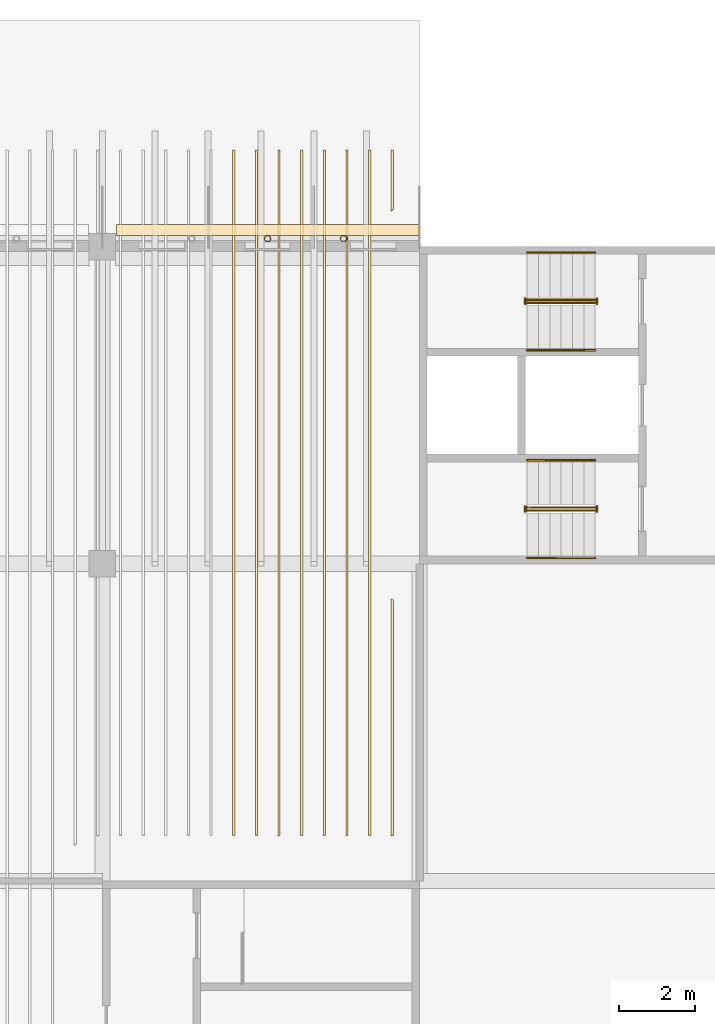
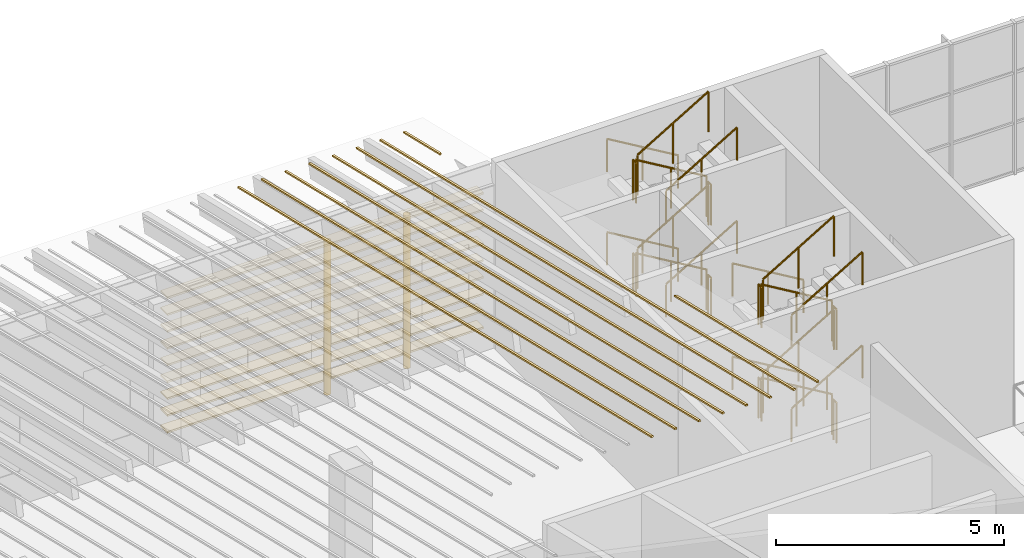
# One storey, part 72 of 82: 24 railings, 18 coverings, 2 shading devices.
"""IFC4 building model written with IfcOpenShell, lengths in metres."""

from ifc_helpers import new_model, si_unit, direction, frame, origin, origin_2d, place, context, subcontext, project, spatial, polyline, rectangle, circle, hollow_circle, outline, extrude, material, layer, layer_set, material_profile, profile_set, type_object, element, save


model = new_model("IFC4")

# Units and contexts
model_context = context("Model", 3, precision=1e-05, world=origin(), true_north=direction((0.0, 1.0)))
body_context = subcontext(model_context, "Body", "Model", "MODEL_VIEW")
ifc_project = project(units=[si_unit("LENGTHUNIT", "METRE"), si_unit("AREAUNIT", "SQUARE_METRE"), si_unit("VOLUMEUNIT", "CUBIC_METRE"), si_unit("PLANEANGLEUNIT", "RADIAN"), si_unit("MASSUNIT", "GRAM", prefix="KILO")], contexts=[model_context])

# Site, building, storey
site_placement = place(None, origin())
site = spatial("IfcSite", under=ifc_project, at=site_placement, CompositionType="ELEMENT")
building_placement = place(site_placement, origin())
building = spatial("IfcBuilding", under=site, at=building_placement, Name="Almond Square Museum", CompositionType="ELEMENT")
storey_placement = place(building_placement, frame((0.0, 0.0, 20.0)))
storey = spatial("IfcBuildingStorey", under=building, at=storey_placement, Name="L03", CompositionType="ELEMENT", Elevation=20.0)

# Shading devices
ifc_material_1 = material(Name="Structural steel S355", Category="steel")
ifc_material_profile_1 = material_profile(ifc_material_1, hollow_circle(Radius=0.084228515625, WallThickness=0.008056640625, at=origin_2d()))
ifc_profile_set_1 = profile_set([ifc_material_profile_1], Name="Structural steel S355")
shading_device_type = type_object("IfcShadingDeviceType", Name="Louvre post CHS 168.3 x 8", PredefinedType="USERDEFINED", material=ifc_profile_set_1)
for number, where, z_axis, x_axis, name in (
    (1, (69.175048828125, 109.4091796875, 0.0), (0.0, 0.0, 1.0), (1.0, 0.0, 0.0), "Louvre screen post"),
    (2, (71.1875, 109.4091796875, 0.0), (0.0, 0.0, 1.0), (1.0, 0.0, 0.0), "Louvre screen post"),
):
    element("IfcShadingDevice", number, at=place(storey_placement, frame(where, z_axis=z_axis, x_axis=x_axis)), inside=storey, type_object=shading_device_type, Name=name, ObjectType="POST", PredefinedType="USERDEFINED", context=body_context, shape_type="SweptSolid", body=[
        extrude(hollow_circle(Radius=0.084228515625, WallThickness=0.008056640625, at=origin_2d()), origin(), (0.0, 0.0, 1.0), 4.099365234375),
    ])

# Coverings
ifc_material_2 = material(Name="Cedar timber louvre board", Category="wood")
ifc_material_profile_2 = material_profile(ifc_material_2, rectangle(XDim=0.300048828125, YDim=0.050048828125, at=origin_2d()))
ifc_profile_set_2 = profile_set([ifc_material_profile_2], Name="Cedar timber louvre board")
covering_type_1 = type_object("IfcCoveringType", Name="Louvre screen board 300 x 50", PredefinedType="CLADDING", material=ifc_profile_set_2)
for number, where, z_axis, x_axis, name in (
    (3, (65.169921875, 109.639404296875, 0.300048828125), (1.0, 0.0, 0.0), (0.0, 1.0, 0.0), "Louvre screen board"),
    (4, (65.169921875, 109.639404296875, 0.75), (1.0, 0.0, 0.0), (0.0, 1.0, 0.0), "Louvre screen board"),
    (5, (65.169921875, 109.639404296875, 1.199951171875), (1.0, 0.0, 0.0), (0.0, 1.0, 0.0), "Louvre screen board"),
    (6, (65.169921875, 109.639404296875, 1.64990234375), (1.0, 0.0, 0.0), (0.0, 1.0, 0.0), "Louvre screen board"),
    (7, (65.169921875, 109.639404296875, 2.10009765625), (1.0, 0.0, 0.0), (0.0, 1.0, 0.0), "Louvre screen board"),
    (8, (65.169921875, 109.639404296875, 2.550048828125), (1.0, 0.0, 0.0), (0.0, 1.0, 0.0), "Louvre screen board"),
    (9, (65.169921875, 109.639404296875, 3.0), (1.0, 0.0, 0.0), (0.0, 1.0, 0.0), "Louvre screen board"),
    (10, (65.169921875, 109.639404296875, 3.449951171875), (1.0, 0.0, 0.0), (0.0, 1.0, 0.0), "Louvre screen board"),
    (11, (65.169921875, 109.639404296875, 3.89990234375), (1.0, 0.0, 0.0), (0.0, 1.0, 0.0), "Louvre screen board"),
):
    element("IfcCovering", number, at=place(storey_placement, frame(where, z_axis=z_axis, x_axis=x_axis)), inside=storey, type_object=covering_type_1, Name=name, PredefinedType="CLADDING", context=body_context, shape_type="SweptSolid", body=[
        extrude(rectangle(XDim=0.300048828125, YDim=0.050048828125, at=origin_2d()), origin(), (0.0, 0.0, 1.0), 8.010009765625),
    ])
ifc_material_3 = material(Name="Zinc standing seam")
ifc_layer = layer(ifc_material_3, 0.0400390625)
ifc_layer_set = layer_set([ifc_layer], Name="Zinc standing seam")
covering_type_2 = type_object("IfcCoveringType", Name="Roof standing seam rib 60 x 40", PredefinedType="CLADDING", material=ifc_layer_set)
covering_1_placement = place(storey_placement, frame((68.31005859375, 111.75, 4.392822265625), z_axis=(0.0, 0.231627013906, 0.972804670234), x_axis=(-1.0, 0.0, 0.0)))
element("IfcCovering", 12, at=covering_1_placement, inside=storey, type_object=covering_type_2, Name="Roof standing seam rib", PredefinedType="CLADDING", context=body_context, shape_type="SweptSolid", body=[
    extrude(outline(polyline([(0.0, 0.0), (0.06005859375, 0.0), (0.06005859375, 18.657293595625642), (0.0, 18.657293595625642), (0.0, 0.0)])), origin(), (0.0, 0.0, 1.0), 0.0400390625),
])
covering_2_placement = place(storey_placement, frame((68.909912109375, 111.75, 4.392822265625), z_axis=(0.0, 0.231627013906, 0.972804670234), x_axis=(-1.0, 0.0, 0.0)))
element("IfcCovering", 13, at=covering_2_placement, inside=storey, type_object=covering_type_2, Name="Roof standing seam rib", PredefinedType="CLADDING", context=body_context, shape_type="SweptSolid", body=[
    extrude(outline(polyline([(0.0, 0.0), (0.059814453125, 0.0), (0.059814453125, 18.657293595625642), (0.0, 18.657293595625642), (0.0, 0.0)])), origin(), (0.0, 0.0, 1.0), 0.0400390625),
])
for number, where, z_axis, x_axis, name in (
    (14, (69.510009765625, 111.75, 4.392822265625), (0.0, 0.231627013906, 0.972804670234), (-1.0, 0.0, 0.0), "Roof standing seam rib"),
    (15, (70.110107421875, 111.75, 4.392822265625), (0.0, 0.231627013906, 0.972804670234), (-1.0, 0.0, 0.0), "Roof standing seam rib"),
    (16, (70.7099609375, 111.75, 4.392822265625), (0.0, 0.231627013906, 0.972804670234), (-1.0, 0.0, 0.0), "Roof standing seam rib"),
    (17, (71.31005859375, 111.75, 4.392822265625), (0.0, 0.231627013906, 0.972804670234), (-1.0, 0.0, 0.0), "Roof standing seam rib"),
):
    element("IfcCovering", number, at=place(storey_placement, frame(where, z_axis=z_axis, x_axis=x_axis)), inside=storey, type_object=covering_type_2, Name=name, PredefinedType="CLADDING", context=body_context, shape_type="SweptSolid", body=[
        extrude(outline(polyline([(0.0, 0.0), (0.06005859375, 0.0), (0.06005859375, 18.657293595625642), (0.0, 18.657293595625642), (0.0, 0.0)])), origin(), (0.0, 0.0, 1.0), 0.0400390625),
    ])
covering_3_placement = place(storey_placement, frame((71.909912109375, 111.75, 4.392822265625), z_axis=(0.0, 0.231627013906, 0.972804670234), x_axis=(-1.0, 0.0, 0.0)))
element("IfcCovering", 18, at=covering_3_placement, inside=storey, type_object=covering_type_2, Name="Roof standing seam rib", PredefinedType="CLADDING", context=body_context, shape_type="SweptSolid", body=[
    extrude(outline(polyline([(0.0, 0.0), (0.059814453125, 0.0), (0.059814453125, 18.657293595625642), (0.0, 18.657293595625642), (0.0, 0.0)])), origin(), (0.0, 0.0, 1.0), 0.0400390625),
])
covering_4_placement = place(storey_placement, frame((72.510009765625, 99.819580078125, 7.2333984375), z_axis=(0.000664107598, 0.231633336676, 0.972802938062), x_axis=(-0.79608361748, 0.588849711627, -0.139667072343)))
element("IfcCovering", 19, at=covering_4_placement, inside=storey, type_object=covering_type_2, Name="Roof standing seam rib", PredefinedType="CLADDING", context=body_context, shape_type="SweptSolid", body=[
    extrude(outline(polyline([(0.0, 0.0), (0.07544260291184722, 8.890457814381136e-18), (-3.8213697008362773, 5.126005849453803), (-3.8691813634095436, 5.0896592125479625), (0.0, 0.0)])), origin(), (0.0, 0.0, 1.0), 0.0400390625),
])
covering_5_placement = place(storey_placement, frame((72.510009765625, 110.180419921875, 4.7666015625), z_axis=(-0.000665650526, 0.231637285281, 0.972801996799), x_axis=(-1.6493e-08, 0.972802212317, -0.23163733661)))
element("IfcCovering", 20, at=covering_5_placement, inside=storey, type_object=covering_type_2, Name="Roof standing seam rib", PredefinedType="CLADDING", context=body_context, shape_type="SweptSolid", body=[
    extrude(outline(polyline([(0.0, 0.0), (1.6134722132162695, 2.710505431213761e-20), (1.613472214206831, 0.060058580444298675), (-0.04565683692835115, 0.06005863442013965), (0.0, 0.0)])), origin(), (0.0, 0.0, 1.0), 0.0400390625),
])

# Railings
ifc_material_4 = material(Name="Stainless steel and laminated glass", Category="steel")
railing_type_1 = type_object("IfcRailingType", Name="Stair guard 1100 steel and glass", PredefinedType="GUARDRAIL", material=ifc_material_4)
railing_1_placement = place(storey_placement, frame((77.85009765625, 102.2900390625, 0.178466796875)))
element("IfcRailing", 21, at=railing_1_placement, inside=storey, type_object=railing_type_1, Name="L03 ST-09 stair guard 1", PredefinedType="GUARDRAIL", context=body_context, shape_type="SweptSolid", body=[
    extrude(circle(Radius=0.02392578125, at=origin_2d()), frame((0.0, 0.0, 1.076171875), z_axis=(-0.859277029364, 0.0, 0.511510495305), x_axis=(0.0, -1.0, 0.0)), (0.0, 0.0, 1.0), 2.0947265625),
    extrude(circle(Radius=0.02099609375, at=origin_2d()), origin(), (0.0, 0.0, 1.0), 1.052001953125),
    extrude(circle(Radius=0.02099609375, at=origin_2d()), frame((-0.89990234375, 0.0, 0.53564453125)), (0.0, 0.0, 1.0), 1.052001953125),
    extrude(circle(Radius=0.02099609375, at=origin_2d()), frame((-1.800048828125, 0.0, 1.071533203125)), (0.0, 0.0, 1.0), 1.052001953125),
])
railing_2_placement = place(storey_placement, frame((76.0, 102.320068359375, 1.25)))
element("IfcRailing", 22, at=railing_2_placement, inside=storey, type_object=railing_type_1, Name="L03 ST-09 stair guard 2", PredefinedType="GUARDRAIL", context=body_context, shape_type="SweptSolid", body=[
    extrude(circle(Radius=0.02392578125, at=origin_2d()), frame((0.0, 0.0, 1.076171875), z_axis=(0.0, -1.0, 0.0), x_axis=(1.0, 0.0, 0.0)), (0.0, 0.0, 1.0), 0.14013671875),
    extrude(circle(Radius=0.02099609375, at=origin_2d()), origin(), (0.0, 0.0, 1.0), 1.052001953125),
    extrude(circle(Radius=0.02099609375, at=origin_2d()), frame((0.0, -0.14013671875, 0.0)), (0.0, 0.0, 1.0), 1.052001953125),
])
railing_3_placement = place(storey_placement, frame((76.050048828125, 102.2099609375, 1.428466796875)))
element("IfcRailing", 23, at=railing_3_placement, inside=storey, type_object=railing_type_1, Name="L03 ST-09 stair guard 3", PredefinedType="GUARDRAIL", context=body_context, shape_type="SweptSolid", body=[
    extrude(circle(Radius=0.02392578125, at=origin_2d()), frame((0.0, 0.0, 1.076171875), z_axis=(0.859277029364, 0.0, 0.511510495305), x_axis=(0.0, 1.0, 0.0)), (0.0, 0.0, 1.0), 2.0947265625),
    extrude(circle(Radius=0.02099609375, at=origin_2d()), origin(), (0.0, 0.0, 1.0), 1.052001953125),
    extrude(circle(Radius=0.02099609375, at=origin_2d()), frame((0.89990234375, 0.0, 0.53564453125)), (0.0, 0.0, 1.0), 1.052001953125),
    extrude(circle(Radius=0.02099609375, at=origin_2d()), frame((1.800048828125, 0.0, 1.071533203125)), (0.0, 0.0, 1.0), 1.052001953125),
])
railing_4_placement = place(storey_placement, frame((77.89990234375, 102.320068359375, 2.5)))
element("IfcRailing", 24, at=railing_4_placement, inside=storey, type_object=railing_type_1, Name="L03 ST-09 stair guard 4", PredefinedType="GUARDRAIL", context=body_context, shape_type="SweptSolid", body=[
    extrude(circle(Radius=0.02392578125, at=origin_2d()), frame((0.0, 0.0, 1.076171875), z_axis=(0.0, -1.0, 0.0), x_axis=(1.0, 0.0, 0.0)), (0.0, 0.0, 1.0), 0.14013671875),
    extrude(circle(Radius=0.02099609375, at=origin_2d()), origin(), (0.0, 0.0, 1.0), 1.052001953125),
    extrude(circle(Radius=0.02099609375, at=origin_2d()), frame((0.0, -0.14013671875, 0.0)), (0.0, 0.0, 1.0), 1.052001953125),
])
railing_5_placement = place(storey_placement, frame((77.85009765625, 102.2900390625, 2.678466796875)))
element("IfcRailing", 25, at=railing_5_placement, inside=storey, type_object=railing_type_1, Name="L03 ST-09 stair guard 5", PredefinedType="GUARDRAIL", context=body_context, shape_type="SweptSolid", body=[
    extrude(circle(Radius=0.02392578125, at=origin_2d()), frame((0.0, 0.0, 1.076171875), z_axis=(-0.859277029364, 0.0, 0.511510495305), x_axis=(0.0, -1.0, 0.0)), (0.0, 0.0, 1.0), 2.0947265625),
    extrude(circle(Radius=0.02099609375, at=origin_2d()), origin(), (0.0, 0.0, 1.0), 1.052001953125),
    extrude(circle(Radius=0.02099609375, at=origin_2d()), frame((-0.89990234375, 0.0, 0.53564453125)), (0.0, 0.0, 1.0), 1.052001953125),
    extrude(circle(Radius=0.02099609375, at=origin_2d()), frame((-1.800048828125, 0.0, 1.071533203125)), (0.0, 0.0, 1.0), 1.052001953125),
])
railing_6_placement = place(storey_placement, frame((76.0, 102.320068359375, 3.75)))
element("IfcRailing", 26, at=railing_6_placement, inside=storey, type_object=railing_type_1, Name="L03 ST-09 stair guard 6", PredefinedType="GUARDRAIL", context=body_context, shape_type="SweptSolid", body=[
    extrude(circle(Radius=0.02392578125, at=origin_2d()), frame((0.0, 0.0, 1.076171875), z_axis=(0.0, -1.0, 0.0), x_axis=(1.0, 0.0, 0.0)), (0.0, 0.0, 1.0), 0.14013671875),
    extrude(circle(Radius=0.02099609375, at=origin_2d()), origin(), (0.0, 0.0, 1.0), 1.052001953125),
    extrude(circle(Radius=0.02099609375, at=origin_2d()), frame((0.0, -0.14013671875, 0.0)), (0.0, 0.0, 1.0), 1.052001953125),
])
railing_7_placement = place(storey_placement, frame((76.050048828125, 102.2099609375, 3.928466796875)))
element("IfcRailing", 27, at=railing_7_placement, inside=storey, type_object=railing_type_1, Name="L03 ST-09 stair guard 7", PredefinedType="GUARDRAIL", context=body_context, shape_type="SweptSolid", body=[
    extrude(circle(Radius=0.02392578125, at=origin_2d()), frame((0.0, 0.0, 1.076171875), z_axis=(0.859277029364, 0.0, 0.511510495305), x_axis=(0.0, 1.0, 0.0)), (0.0, 0.0, 1.0), 2.0947265625),
    extrude(circle(Radius=0.02099609375, at=origin_2d()), origin(), (0.0, 0.0, 1.0), 1.052001953125),
    extrude(circle(Radius=0.02099609375, at=origin_2d()), frame((0.89990234375, 0.0, 0.53564453125)), (0.0, 0.0, 1.0), 1.052001953125),
    extrude(circle(Radius=0.02099609375, at=origin_2d()), frame((1.800048828125, 0.0, 1.071533203125)), (0.0, 0.0, 1.0), 1.052001953125),
])
railing_8_placement = place(storey_placement, frame((77.89990234375, 102.320068359375, 0.0)))
element("IfcRailing", 28, at=railing_8_placement, inside=storey, type_object=railing_type_1, Name="L03 ST-09 stair guard 8", PredefinedType="GUARDRAIL", context=body_context, shape_type="SweptSolid", body=[
    extrude(circle(Radius=0.02392578125, at=origin_2d()), frame((0.0, 0.0, 1.076171875), z_axis=(0.0, -1.0, 0.0), x_axis=(1.0, 0.0, 0.0)), (0.0, 0.0, 1.0), 0.14013671875),
    extrude(circle(Radius=0.02099609375, at=origin_2d()), origin(), (0.0, 0.0, 1.0), 1.052001953125),
    extrude(circle(Radius=0.02099609375, at=origin_2d()), frame((0.0, -0.14013671875, 0.0)), (0.0, 0.0, 1.0), 1.052001953125),
])
railing_9_placement = place(storey_placement, frame((77.85009765625, 107.7900390625, 0.178466796875)))
element("IfcRailing", 29, at=railing_9_placement, inside=storey, type_object=railing_type_1, Name="L03 ST-10 stair guard 1", PredefinedType="GUARDRAIL", context=body_context, shape_type="SweptSolid", body=[
    extrude(circle(Radius=0.02392578125, at=origin_2d()), frame((0.0, 0.0, 1.076171875), z_axis=(-0.859277029364, 0.0, 0.511510495305), x_axis=(0.0, -1.0, 0.0)), (0.0, 0.0, 1.0), 2.0947265625),
    extrude(circle(Radius=0.02099609375, at=origin_2d()), origin(), (0.0, 0.0, 1.0), 1.052001953125),
    extrude(circle(Radius=0.02099609375, at=origin_2d()), frame((-0.89990234375, 0.0, 0.53564453125)), (0.0, 0.0, 1.0), 1.052001953125),
    extrude(circle(Radius=0.02099609375, at=origin_2d()), frame((-1.800048828125, 0.0, 1.071533203125)), (0.0, 0.0, 1.0), 1.052001953125),
])
railing_10_placement = place(storey_placement, frame((76.0, 107.820068359375, 1.25)))
element("IfcRailing", 30, at=railing_10_placement, inside=storey, type_object=railing_type_1, Name="L03 ST-10 stair guard 2", PredefinedType="GUARDRAIL", context=body_context, shape_type="SweptSolid", body=[
    extrude(circle(Radius=0.02392578125, at=origin_2d()), frame((0.0, 0.0, 1.076171875), z_axis=(0.0, -1.0, 0.0), x_axis=(1.0, 0.0, 0.0)), (0.0, 0.0, 1.0), 0.14013671875),
    extrude(circle(Radius=0.02099609375, at=origin_2d()), origin(), (0.0, 0.0, 1.0), 1.052001953125),
    extrude(circle(Radius=0.02099609375, at=origin_2d()), frame((0.0, -0.14013671875, 0.0)), (0.0, 0.0, 1.0), 1.052001953125),
])
railing_11_placement = place(storey_placement, frame((76.050048828125, 107.7099609375, 1.428466796875)))
element("IfcRailing", 31, at=railing_11_placement, inside=storey, type_object=railing_type_1, Name="L03 ST-10 stair guard 3", PredefinedType="GUARDRAIL", context=body_context, shape_type="SweptSolid", body=[
    extrude(circle(Radius=0.02392578125, at=origin_2d()), frame((0.0, 0.0, 1.076171875), z_axis=(0.859277029364, 0.0, 0.511510495305), x_axis=(0.0, 1.0, 0.0)), (0.0, 0.0, 1.0), 2.0947265625),
    extrude(circle(Radius=0.02099609375, at=origin_2d()), origin(), (0.0, 0.0, 1.0), 1.052001953125),
    extrude(circle(Radius=0.02099609375, at=origin_2d()), frame((0.89990234375, 0.0, 0.53564453125)), (0.0, 0.0, 1.0), 1.052001953125),
    extrude(circle(Radius=0.02099609375, at=origin_2d()), frame((1.800048828125, 0.0, 1.071533203125)), (0.0, 0.0, 1.0), 1.052001953125),
])
railing_12_placement = place(storey_placement, frame((77.89990234375, 107.820068359375, 2.5)))
element("IfcRailing", 32, at=railing_12_placement, inside=storey, type_object=railing_type_1, Name="L03 ST-10 stair guard 4", PredefinedType="GUARDRAIL", context=body_context, shape_type="SweptSolid", body=[
    extrude(circle(Radius=0.02392578125, at=origin_2d()), frame((0.0, 0.0, 1.076171875), z_axis=(0.0, -1.0, 0.0), x_axis=(1.0, 0.0, 0.0)), (0.0, 0.0, 1.0), 0.14013671875),
    extrude(circle(Radius=0.02099609375, at=origin_2d()), origin(), (0.0, 0.0, 1.0), 1.052001953125),
    extrude(circle(Radius=0.02099609375, at=origin_2d()), frame((0.0, -0.14013671875, 0.0)), (0.0, 0.0, 1.0), 1.052001953125),
])
railing_13_placement = place(storey_placement, frame((77.85009765625, 107.7900390625, 2.678466796875)))
element("IfcRailing", 33, at=railing_13_placement, inside=storey, type_object=railing_type_1, Name="L03 ST-10 stair guard 5", PredefinedType="GUARDRAIL", context=body_context, shape_type="SweptSolid", body=[
    extrude(circle(Radius=0.02392578125, at=origin_2d()), frame((0.0, 0.0, 1.076171875), z_axis=(-0.859277029364, 0.0, 0.511510495305), x_axis=(0.0, -1.0, 0.0)), (0.0, 0.0, 1.0), 2.0947265625),
    extrude(circle(Radius=0.02099609375, at=origin_2d()), origin(), (0.0, 0.0, 1.0), 1.052001953125),
    extrude(circle(Radius=0.02099609375, at=origin_2d()), frame((-0.89990234375, 0.0, 0.53564453125)), (0.0, 0.0, 1.0), 1.052001953125),
    extrude(circle(Radius=0.02099609375, at=origin_2d()), frame((-1.800048828125, 0.0, 1.071533203125)), (0.0, 0.0, 1.0), 1.052001953125),
])
railing_14_placement = place(storey_placement, frame((76.0, 107.820068359375, 3.75)))
element("IfcRailing", 34, at=railing_14_placement, inside=storey, type_object=railing_type_1, Name="L03 ST-10 stair guard 6", PredefinedType="GUARDRAIL", context=body_context, shape_type="SweptSolid", body=[
    extrude(circle(Radius=0.02392578125, at=origin_2d()), frame((0.0, 0.0, 1.076171875), z_axis=(0.0, -1.0, 0.0), x_axis=(1.0, 0.0, 0.0)), (0.0, 0.0, 1.0), 0.14013671875),
    extrude(circle(Radius=0.02099609375, at=origin_2d()), origin(), (0.0, 0.0, 1.0), 1.052001953125),
    extrude(circle(Radius=0.02099609375, at=origin_2d()), frame((0.0, -0.14013671875, 0.0)), (0.0, 0.0, 1.0), 1.052001953125),
])
railing_15_placement = place(storey_placement, frame((76.050048828125, 107.7099609375, 3.928466796875)))
element("IfcRailing", 35, at=railing_15_placement, inside=storey, type_object=railing_type_1, Name="L03 ST-10 stair guard 7", PredefinedType="GUARDRAIL", context=body_context, shape_type="SweptSolid", body=[
    extrude(circle(Radius=0.02392578125, at=origin_2d()), frame((0.0, 0.0, 1.076171875), z_axis=(0.859277029364, 0.0, 0.511510495305), x_axis=(0.0, 1.0, 0.0)), (0.0, 0.0, 1.0), 2.0947265625),
    extrude(circle(Radius=0.02099609375, at=origin_2d()), origin(), (0.0, 0.0, 1.0), 1.052001953125),
    extrude(circle(Radius=0.02099609375, at=origin_2d()), frame((0.89990234375, 0.0, 0.53564453125)), (0.0, 0.0, 1.0), 1.052001953125),
    extrude(circle(Radius=0.02099609375, at=origin_2d()), frame((1.800048828125, 0.0, 1.071533203125)), (0.0, 0.0, 1.0), 1.052001953125),
])
railing_16_placement = place(storey_placement, frame((77.89990234375, 107.820068359375, 0.0)))
element("IfcRailing", 36, at=railing_16_placement, inside=storey, type_object=railing_type_1, Name="L03 ST-10 stair guard 8", PredefinedType="GUARDRAIL", context=body_context, shape_type="SweptSolid", body=[
    extrude(circle(Radius=0.02392578125, at=origin_2d()), frame((0.0, 0.0, 1.076171875), z_axis=(0.0, -1.0, 0.0), x_axis=(1.0, 0.0, 0.0)), (0.0, 0.0, 1.0), 0.14013671875),
    extrude(circle(Radius=0.02099609375, at=origin_2d()), origin(), (0.0, 0.0, 1.0), 1.052001953125),
    extrude(circle(Radius=0.02099609375, at=origin_2d()), frame((0.0, -0.14013671875, 0.0)), (0.0, 0.0, 1.0), 1.052001953125),
])
ifc_material_5 = material(Name="Stainless steel", Category="steel")
railing_type_2 = type_object("IfcRailingType", Name="Stair handrail 900 steel", PredefinedType="HANDRAIL", material=ifc_material_5)
railing_17_placement = place(storey_placement, frame((77.85009765625, 103.544921875, 0.178466796875)))
element("IfcRailing", 37, at=railing_17_placement, inside=storey, type_object=railing_type_2, Name="L03 ST-09 stair handrail 1", PredefinedType="HANDRAIL", context=body_context, shape_type="SweptSolid", body=[
    extrude(circle(Radius=0.02392578125, at=origin_2d()), frame((0.0, 0.0, 0.8759765625), z_axis=(-0.859277029364, 0.0, 0.511510495305), x_axis=(0.0, -1.0, 0.0)), (0.0, 0.0, 1.0), 2.0947265625),
    extrude(circle(Radius=0.02099609375, at=origin_2d()), origin(), (0.0, 0.0, 1.0), 0.851806640625),
    extrude(circle(Radius=0.02099609375, at=origin_2d()), frame((-0.89990234375, 0.0, 0.53564453125)), (0.0, 0.0, 1.0), 0.851806640625),
    extrude(circle(Radius=0.02099609375, at=origin_2d()), frame((-1.800048828125, 0.0, 1.071533203125)), (0.0, 0.0, 1.0), 0.851806640625),
])
railing_18_placement = place(storey_placement, frame((76.050048828125, 100.955078125, 1.428466796875)))
element("IfcRailing", 38, at=railing_18_placement, inside=storey, type_object=railing_type_2, Name="L03 ST-09 stair handrail 2", PredefinedType="HANDRAIL", context=body_context, shape_type="SweptSolid", body=[
    extrude(circle(Radius=0.02392578125, at=origin_2d()), frame((0.0, 0.0, 0.8759765625), z_axis=(0.859277029364, 0.0, 0.511510495305), x_axis=(0.0, 1.0, 0.0)), (0.0, 0.0, 1.0), 2.0947265625),
    extrude(circle(Radius=0.02099609375, at=origin_2d()), origin(), (0.0, 0.0, 1.0), 0.851806640625),
    extrude(circle(Radius=0.02099609375, at=origin_2d()), frame((0.89990234375, 0.0, 0.53564453125)), (0.0, 0.0, 1.0), 0.851806640625),
    extrude(circle(Radius=0.02099609375, at=origin_2d()), frame((1.800048828125, 0.0, 1.071533203125)), (0.0, 0.0, 1.0), 0.851806640625),
])
railing_19_placement = place(storey_placement, frame((77.85009765625, 103.544921875, 2.678466796875)))
element("IfcRailing", 39, at=railing_19_placement, inside=storey, type_object=railing_type_2, Name="L03 ST-09 stair handrail 3", PredefinedType="HANDRAIL", context=body_context, shape_type="SweptSolid", body=[
    extrude(circle(Radius=0.02392578125, at=origin_2d()), frame((0.0, 0.0, 0.8759765625), z_axis=(-0.859277029364, 0.0, 0.511510495305), x_axis=(0.0, -1.0, 0.0)), (0.0, 0.0, 1.0), 2.0947265625),
    extrude(circle(Radius=0.02099609375, at=origin_2d()), origin(), (0.0, 0.0, 1.0), 0.851806640625),
    extrude(circle(Radius=0.02099609375, at=origin_2d()), frame((-0.89990234375, 0.0, 0.53564453125)), (0.0, 0.0, 1.0), 0.851806640625),
    extrude(circle(Radius=0.02099609375, at=origin_2d()), frame((-1.800048828125, 0.0, 1.071533203125)), (0.0, 0.0, 1.0), 0.851806640625),
])
railing_20_placement = place(storey_placement, frame((76.050048828125, 100.955078125, 3.928466796875)))
element("IfcRailing", 40, at=railing_20_placement, inside=storey, type_object=railing_type_2, Name="L03 ST-09 stair handrail 4", PredefinedType="HANDRAIL", context=body_context, shape_type="SweptSolid", body=[
    extrude(circle(Radius=0.02392578125, at=origin_2d()), frame((0.0, 0.0, 0.8759765625), z_axis=(0.859277029364, 0.0, 0.511510495305), x_axis=(0.0, 1.0, 0.0)), (0.0, 0.0, 1.0), 2.0947265625),
    extrude(circle(Radius=0.02099609375, at=origin_2d()), origin(), (0.0, 0.0, 1.0), 0.851806640625),
    extrude(circle(Radius=0.02099609375, at=origin_2d()), frame((0.89990234375, 0.0, 0.53564453125)), (0.0, 0.0, 1.0), 0.851806640625),
    extrude(circle(Radius=0.02099609375, at=origin_2d()), frame((1.800048828125, 0.0, 1.071533203125)), (0.0, 0.0, 1.0), 0.851806640625),
])
railing_21_placement = place(storey_placement, frame((77.85009765625, 109.044921875, 0.178466796875)))
element("IfcRailing", 41, at=railing_21_placement, inside=storey, type_object=railing_type_2, Name="L03 ST-10 stair handrail 1", PredefinedType="HANDRAIL", context=body_context, shape_type="SweptSolid", body=[
    extrude(circle(Radius=0.02392578125, at=origin_2d()), frame((0.0, 0.0, 0.8759765625), z_axis=(-0.859277029364, 0.0, 0.511510495305), x_axis=(0.0, -1.0, 0.0)), (0.0, 0.0, 1.0), 2.0947265625),
    extrude(circle(Radius=0.02099609375, at=origin_2d()), origin(), (0.0, 0.0, 1.0), 0.851806640625),
    extrude(circle(Radius=0.02099609375, at=origin_2d()), frame((-0.89990234375, 0.0, 0.53564453125)), (0.0, 0.0, 1.0), 0.851806640625),
    extrude(circle(Radius=0.02099609375, at=origin_2d()), frame((-1.800048828125, 0.0, 1.071533203125)), (0.0, 0.0, 1.0), 0.851806640625),
])
railing_22_placement = place(storey_placement, frame((76.050048828125, 106.455078125, 1.428466796875)))
element("IfcRailing", 42, at=railing_22_placement, inside=storey, type_object=railing_type_2, Name="L03 ST-10 stair handrail 2", PredefinedType="HANDRAIL", context=body_context, shape_type="SweptSolid", body=[
    extrude(circle(Radius=0.02392578125, at=origin_2d()), frame((0.0, 0.0, 0.8759765625), z_axis=(0.859277029364, 0.0, 0.511510495305), x_axis=(0.0, 1.0, 0.0)), (0.0, 0.0, 1.0), 2.0947265625),
    extrude(circle(Radius=0.02099609375, at=origin_2d()), origin(), (0.0, 0.0, 1.0), 0.851806640625),
    extrude(circle(Radius=0.02099609375, at=origin_2d()), frame((0.89990234375, 0.0, 0.53564453125)), (0.0, 0.0, 1.0), 0.851806640625),
    extrude(circle(Radius=0.02099609375, at=origin_2d()), frame((1.800048828125, 0.0, 1.071533203125)), (0.0, 0.0, 1.0), 0.851806640625),
])
railing_23_placement = place(storey_placement, frame((77.85009765625, 109.044921875, 2.678466796875)))
element("IfcRailing", 43, at=railing_23_placement, inside=storey, type_object=railing_type_2, Name="L03 ST-10 stair handrail 3", PredefinedType="HANDRAIL", context=body_context, shape_type="SweptSolid", body=[
    extrude(circle(Radius=0.02392578125, at=origin_2d()), frame((0.0, 0.0, 0.8759765625), z_axis=(-0.859277029364, 0.0, 0.511510495305), x_axis=(0.0, -1.0, 0.0)), (0.0, 0.0, 1.0), 2.0947265625),
    extrude(circle(Radius=0.02099609375, at=origin_2d()), origin(), (0.0, 0.0, 1.0), 0.851806640625),
    extrude(circle(Radius=0.02099609375, at=origin_2d()), frame((-0.89990234375, 0.0, 0.53564453125)), (0.0, 0.0, 1.0), 0.851806640625),
    extrude(circle(Radius=0.02099609375, at=origin_2d()), frame((-1.800048828125, 0.0, 1.071533203125)), (0.0, 0.0, 1.0), 0.851806640625),
])
railing_24_placement = place(storey_placement, frame((76.050048828125, 106.455078125, 3.928466796875)))
element("IfcRailing", 44, at=railing_24_placement, inside=storey, type_object=railing_type_2, Name="L03 ST-10 stair handrail 4", PredefinedType="HANDRAIL", context=body_context, shape_type="SweptSolid", body=[
    extrude(circle(Radius=0.02392578125, at=origin_2d()), frame((0.0, 0.0, 0.8759765625), z_axis=(0.859277029364, 0.0, 0.511510495305), x_axis=(0.0, 1.0, 0.0)), (0.0, 0.0, 1.0), 2.0947265625),
    extrude(circle(Radius=0.02099609375, at=origin_2d()), origin(), (0.0, 0.0, 1.0), 0.851806640625),
    extrude(circle(Radius=0.02099609375, at=origin_2d()), frame((0.89990234375, 0.0, 0.53564453125)), (0.0, 0.0, 1.0), 0.851806640625),
    extrude(circle(Radius=0.02099609375, at=origin_2d()), frame((1.800048828125, 0.0, 1.071533203125)), (0.0, 0.0, 1.0), 0.851806640625),
])

save(model, "model.ifc")
